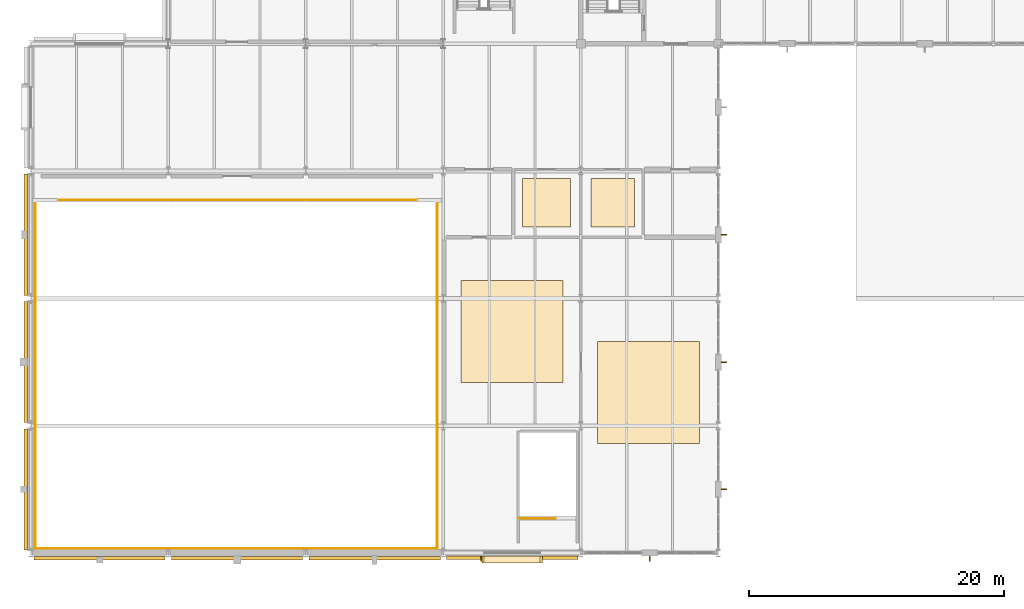
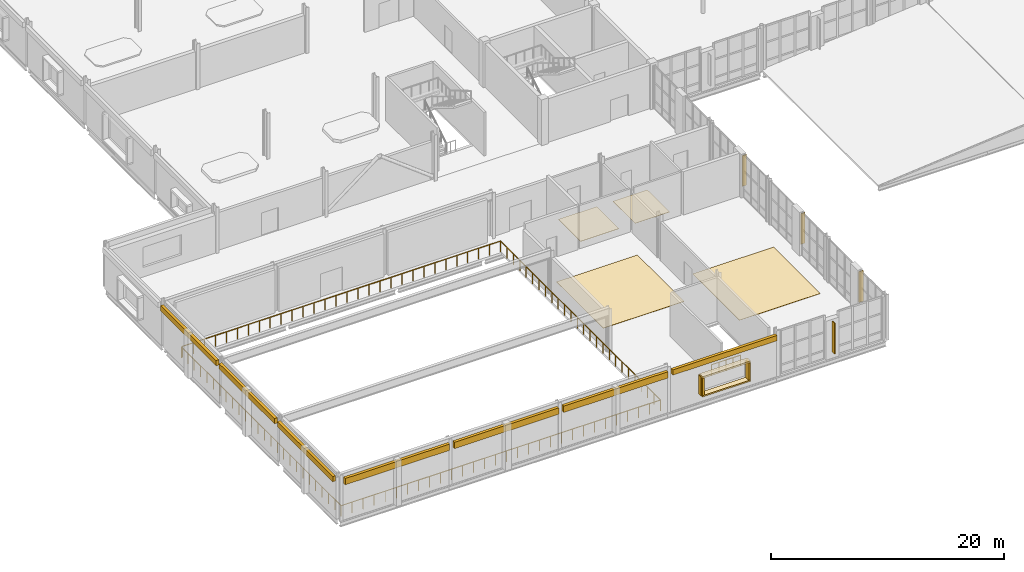
# One storey, part 82 of 92: 15 coverings, 5 railings, 5 shading devices.
"""IFC4 building model written with IfcOpenShell, lengths in metres."""

from ifc_helpers import new_model, si_unit, direction, frame, origin, origin_2d, place, context, subcontext, project, spatial, rectangle, circle, extrude, material, layer, layer_set, type_object, element, save


model = new_model("IFC4")

# Units and contexts
model_context = context("Model", 3, precision=1e-05, world=origin(), true_north=direction((0.0, 1.0)))
body_context = subcontext(model_context, "Body", "Model", "MODEL_VIEW")
ifc_project = project(units=[si_unit("LENGTHUNIT", "METRE"), si_unit("AREAUNIT", "SQUARE_METRE"), si_unit("VOLUMEUNIT", "CUBIC_METRE"), si_unit("PLANEANGLEUNIT", "RADIAN"), si_unit("MASSUNIT", "GRAM", prefix="KILO")], contexts=[model_context])

# Site, building, storey
site_placement = place(None, origin())
site = spatial("IfcSite", under=ifc_project, at=site_placement, CompositionType="ELEMENT")
building_placement = place(site_placement, origin())
building = spatial("IfcBuilding", under=site, at=building_placement, Name="Tasgan Crest Museum", CompositionType="ELEMENT")
storey_placement = place(building_placement, frame((0.0, 0.0, 4.800048828125)))
storey = spatial("IfcBuildingStorey", under=building, at=storey_placement, Name="L01", CompositionType="ELEMENT", Elevation=4.800048828125)

# Coverings
ifc_material_1 = material(Name="Polished Granite Terrazzo", Category="masonry")
ifc_layer_1 = layer(ifc_material_1, 0.030029296875, Name="COV-FLOOR-TERRAZZO")
ifc_layer_set_1 = layer_set([ifc_layer_1], Name="Polished Granite Terrazzo")
covering_type_1 = type_object("IfcCoveringType", Name="COV-FLOOR-TERRAZZO", PredefinedType="FLOORING", material=ifc_layer_set_1)
for number, where, z_axis, x_axis, name in (
    (1, (37.800048828125, 17.39990234375, 0.0), (0.0, 0.0, 1.0), (1.0, 0.0, 0.0), "Naturalist Workshop Studio floor finish"),
    (2, (48.5, 12.60009765625, 0.0), (0.0, 0.0, 1.0), (1.0, 0.0, 0.0), "School Discovery Classroom floor finish"),
):
    element("IfcCovering", number, at=place(storey_placement, frame(where, z_axis=z_axis, x_axis=x_axis)), inside=storey, type_object=covering_type_1, Name=name, PredefinedType="FLOORING", context=body_context, shape_type="SweptSolid", body=[
        extrude(rectangle(XDim=8.0, YDim=8.0, at=origin_2d()), origin(), (0.0, 0.0, 1.0), 0.030029296875),
    ])
covering_1_placement = place(storey_placement, frame((40.5, 27.5, 0.0), z_axis=(0.0, 0.0, 1.0), x_axis=(1.0, 0.0, 0.0)))
element("IfcCovering", 3, at=covering_1_placement, inside=storey, type_object=covering_type_1, Name="First Floor Public WC floor finish", PredefinedType="FLOORING", context=body_context, shape_type="SweptSolid", body=[
    extrude(rectangle(XDim=3.800048828125, YDim=3.800048828125, at=origin_2d()), origin(), (0.0, 0.0, 1.0), 0.030029296875),
])
covering_2_placement = place(storey_placement, frame((45.699951171875, 27.5, 0.0), z_axis=(0.0, 0.0, 1.0), x_axis=(1.0, 0.0, 0.0)))
element("IfcCovering", 4, at=covering_2_placement, inside=storey, type_object=covering_type_1, Name="First Floor Accessible WC floor finish", PredefinedType="FLOORING", context=body_context, shape_type="SweptSolid", body=[
    extrude(rectangle(XDim=3.39990234375, YDim=3.800048828125, at=origin_2d()), origin(), (0.0, 0.0, 1.0), 0.030029296875),
])
ifc_material_2 = material(Name="Honed Rose-Red Mongolian Granite", Category="masonry")
ifc_layer_2 = layer(ifc_material_2, 0.0400390625, Name="COV-GRANITE-ROSE")
ifc_layer_set_2 = layer_set([ifc_layer_2], Name="Honed Rose-Red Mongolian Granite")
covering_type_2 = type_object("IfcCoveringType", Name="COV-GRANITE-ROSE", PredefinedType="CLADDING", material=ifc_layer_set_2)
covering_3_placement = place(storey_placement, frame((37.800048828125, -0.3798828125, 3.9599609375), z_axis=(0.0, 0.0, 1.0), x_axis=(1.0, 0.0, 0.0)))
element("IfcCovering", 5, at=covering_3_placement, inside=storey, type_object=covering_type_2, Name="Stone frieze cladding L01", PredefinedType="CLADDING", context=body_context, shape_type="SweptSolid", body=[
    extrude(rectangle(XDim=10.31005859375, YDim=0.280029296875, at=origin_2d()), origin(), (0.0, 0.0, 1.0), 0.550048828125),
])
for number, where, z_axis, x_axis, name in (
    (6, (35.510009765625, -0.514892578125, 1.0), (0.0, 0.0, 1.0), (1.0, 0.0, 0.0), "Deep window reveal jamb L01-022"),
    (7, (40.090087890625, -0.514892578125, 1.0), (0.0, 0.0, 1.0), (1.0, 0.0, 0.0), "Deep window reveal jamb L01-022"),
):
    element("IfcCovering", number, at=place(storey_placement, frame(where, z_axis=z_axis, x_axis=x_axis)), inside=storey, type_object=covering_type_2, Name=name, PredefinedType="CLADDING", context=body_context, shape_type="SweptSolid", body=[
        extrude(rectangle(XDim=0.179931640625, YDim=0.550048828125, at=origin_2d()), origin(), (0.0, 0.0, 1.0), 1.800048828125),
    ])
ifc_material_3 = material(Name="Honed Buff Limestone", Category="masonry")
ifc_layer_3 = layer(ifc_material_3, 0.044921875, Name="COV-LIMESTONE-BUFF")
ifc_layer_set_3 = layer_set([ifc_layer_3], Name="Honed Buff Limestone")
covering_type_3 = type_object("IfcCoveringType", Name="COV-LIMESTONE-BUFF", PredefinedType="CLADDING", material=ifc_layer_set_3)
for number, where, z_axis, x_axis, name in (
    (8, (-0.39990234375, 25.0, 3.9599609375), (0.0, 0.0, 1.0), (0.0, -1.0, 0.0), "Stone frieze cladding L01"),
    (9, (-0.39990234375, 15.0, 3.9599609375), (0.0, 0.0, 1.0), (0.0, -1.0, 0.0), "Stone frieze cladding L01"),
    (10, (-0.39990234375, 5.0, 3.9599609375), (0.0, 0.0, 1.0), (0.0, -1.0, 0.0), "Stone frieze cladding L01"),
):
    element("IfcCovering", number, at=place(storey_placement, frame(where, z_axis=z_axis, x_axis=x_axis)), inside=storey, type_object=covering_type_3, Name=name, PredefinedType="CLADDING", context=body_context, shape_type="SweptSolid", body=[
        extrude(rectangle(XDim=9.510009765625, YDim=0.280029296875, at=origin_2d()), origin(), (0.0, 0.0, 1.0), 0.550048828125),
    ])
for number, where, z_axis, x_axis, name in (
    (11, (5.39990234375, -0.39990234375, 3.84912109375), (0.0, 0.0, 1.0), (1.0, 0.0, 0.0), "Stone frieze cladding L01"),
    (12, (16.199951171875, -0.39990234375, 3.84912109375), (0.0, 0.0, 1.0), (1.0, 0.0, 0.0), "Stone frieze cladding L01"),
    (13, (27.0, -0.39990234375, 3.84912109375), (0.0, 0.0, 1.0), (1.0, 0.0, 0.0), "Stone frieze cladding L01"),
):
    element("IfcCovering", number, at=place(storey_placement, frame(where, z_axis=z_axis, x_axis=x_axis)), inside=storey, type_object=covering_type_3, Name=name, PredefinedType="CLADDING", context=body_context, shape_type="SweptSolid", body=[
        extrude(rectangle(XDim=10.31005859375, YDim=0.280029296875, at=origin_2d()), origin(), (0.0, 0.0, 1.0), 0.660888671875),
    ])
covering_4_placement = place(storey_placement, frame((37.800048828125, -0.514892578125, 2.7998046875), z_axis=(0.0, 0.0, 1.0), x_axis=(1.0, 0.0, 0.0)))
element("IfcCovering", 14, at=covering_4_placement, inside=storey, type_object=covering_type_3, Name="Deep window hood L01-022", PredefinedType="CLADDING", context=body_context, shape_type="SweptSolid", body=[
    extrude(rectangle(XDim=4.760009765625, YDim=0.550048828125, at=origin_2d()), origin(), (0.0, 0.0, 1.0), 0.179931640625),
])
covering_5_placement = place(storey_placement, frame((37.800048828125, -0.514892578125, 0.85986328125), z_axis=(0.0, 0.0, 1.0), x_axis=(1.0, 0.0, 0.0)))
element("IfcCovering", 15, at=covering_5_placement, inside=storey, type_object=covering_type_3, Name="Deep window sill L01-022", PredefinedType="CLADDING", context=body_context, shape_type="SweptSolid", body=[
    extrude(rectangle(XDim=4.760009765625, YDim=0.550048828125, at=origin_2d()), origin(), (0.0, 0.0, 1.0), 0.139892578125),
])

# Railings
ifc_material_4 = material(Name="Bronze and Honed Granite Balustrade", Category="masonry")
railing_type_1 = type_object("IfcRailingType", Name="RL-BALUSTRADE-1150", PredefinedType="BALUSTRADE", material=ifc_material_4)
railing_1_placement = place(storey_placement, frame((0.449951171875, 27.719970703125, 0.0)))
element("IfcRailing", 16, at=railing_1_placement, inside=storey, type_object=railing_type_1, Name="Auditorium upper balcony balustrade", PredefinedType="BALUSTRADE", context=body_context, shape_type="SweptSolid", body=[
    extrude(circle(Radius=0.02392578125, at=origin_2d()), frame((0.0, 0.0, 1.1259765625), z_axis=(1.0, 0.0, 0.0), x_axis=(0.0, 1.0, 0.0)), (0.0, 0.0, 1.0), 31.469970703125),
    extrude(circle(Radius=0.02099609375, at=origin_2d()), origin(), (0.0, 0.0, 1.0), 1.101806640625),
    extrude(circle(Radius=0.02099609375, at=origin_2d()), frame((1.085205078125, 0.0, 0.0)), (0.0, 0.0, 1.0), 1.101806640625),
    extrude(circle(Radius=0.02099609375, at=origin_2d()), frame((2.17041015625, 0.0, 0.0)), (0.0, 0.0, 1.0), 1.101806640625),
    extrude(circle(Radius=0.02099609375, at=origin_2d()), frame((3.255615234375, 0.0, 0.0)), (0.0, 0.0, 1.0), 1.101806640625),
    extrude(circle(Radius=0.02099609375, at=origin_2d()), frame((4.340576171875, 0.0, 0.0)), (0.0, 0.0, 1.0), 1.101806640625),
    extrude(circle(Radius=0.02099609375, at=origin_2d()), frame((5.42578125, 0.0, 0.0)), (0.0, 0.0, 1.0), 1.101806640625),
    extrude(circle(Radius=0.02099609375, at=origin_2d()), frame((6.510986328125, 0.0, 0.0)), (0.0, 0.0, 1.0), 1.101806640625),
    extrude(circle(Radius=0.02099609375, at=origin_2d()), frame((7.59619140625, 0.0, 0.0)), (0.0, 0.0, 1.0), 1.101806640625),
    extrude(circle(Radius=0.02099609375, at=origin_2d()), frame((8.681396484375, 0.0, 0.0)), (0.0, 0.0, 1.0), 1.101806640625),
    extrude(circle(Radius=0.02099609375, at=origin_2d()), frame((9.7666015625, 0.0, 0.0)), (0.0, 0.0, 1.0), 1.101806640625),
    extrude(circle(Radius=0.02099609375, at=origin_2d()), frame((10.851806640625, 0.0, 0.0)), (0.0, 0.0, 1.0), 1.101806640625),
    extrude(circle(Radius=0.02099609375, at=origin_2d()), frame((11.936767578125, 0.0, 0.0)), (0.0, 0.0, 1.0), 1.101806640625),
    extrude(circle(Radius=0.02099609375, at=origin_2d()), frame((13.02197265625, 0.0, 0.0)), (0.0, 0.0, 1.0), 1.101806640625),
    extrude(circle(Radius=0.02099609375, at=origin_2d()), frame((14.107177734375, 0.0, 0.0)), (0.0, 0.0, 1.0), 1.101806640625),
    extrude(circle(Radius=0.02099609375, at=origin_2d()), frame((15.1923828125, 0.0, 0.0)), (0.0, 0.0, 1.0), 1.101806640625),
    extrude(circle(Radius=0.02099609375, at=origin_2d()), frame((16.277587890625, 0.0, 0.0)), (0.0, 0.0, 1.0), 1.101806640625),
    extrude(circle(Radius=0.02099609375, at=origin_2d()), frame((17.36279296875, 0.0, 0.0)), (0.0, 0.0, 1.0), 1.101806640625),
    extrude(circle(Radius=0.02099609375, at=origin_2d()), frame((18.447998046875, 0.0, 0.0)), (0.0, 0.0, 1.0), 1.101806640625),
    extrude(circle(Radius=0.02099609375, at=origin_2d()), frame((19.533203125, 0.0, 0.0)), (0.0, 0.0, 1.0), 1.101806640625),
    extrude(circle(Radius=0.02099609375, at=origin_2d()), frame((20.6181640625, 0.0, 0.0)), (0.0, 0.0, 1.0), 1.101806640625),
    extrude(circle(Radius=0.02099609375, at=origin_2d()), frame((21.703369140625, 0.0, 0.0)), (0.0, 0.0, 1.0), 1.101806640625),
    extrude(circle(Radius=0.02099609375, at=origin_2d()), frame((22.78857421875, 0.0, 0.0)), (0.0, 0.0, 1.0), 1.101806640625),
    extrude(circle(Radius=0.02099609375, at=origin_2d()), frame((23.873779296875, 0.0, 0.0)), (0.0, 0.0, 1.0), 1.101806640625),
    extrude(circle(Radius=0.02099609375, at=origin_2d()), frame((24.958984375, 0.0, 0.0)), (0.0, 0.0, 1.0), 1.101806640625),
    extrude(circle(Radius=0.02099609375, at=origin_2d()), frame((26.044189453125, 0.0, 0.0)), (0.0, 0.0, 1.0), 1.101806640625),
    extrude(circle(Radius=0.02099609375, at=origin_2d()), frame((27.12939453125, 0.0, 0.0)), (0.0, 0.0, 1.0), 1.101806640625),
    extrude(circle(Radius=0.02099609375, at=origin_2d()), frame((28.21435546875, 0.0, 0.0)), (0.0, 0.0, 1.0), 1.101806640625),
    extrude(circle(Radius=0.02099609375, at=origin_2d()), frame((29.299560546875, 0.0, 0.0)), (0.0, 0.0, 1.0), 1.101806640625),
    extrude(circle(Radius=0.02099609375, at=origin_2d()), frame((30.384765625, 0.0, 0.0)), (0.0, 0.0, 1.0), 1.101806640625),
    extrude(circle(Radius=0.02099609375, at=origin_2d()), frame((31.469970703125, 0.0, 0.0)), (0.0, 0.0, 1.0), 1.101806640625),
])
ifc_material_5 = material(Name="Brushed Bronze and Toughened Glass", Category="glass")
railing_type_2 = type_object("IfcRailingType", Name="RL-INT-GUARD-1120", PredefinedType="GUARDRAIL", material=ifc_material_5)
railing_2_placement = place(storey_placement, frame((38.360107421875, 2.719970703125, 0.0)))
element("IfcRailing", 17, at=railing_2_placement, inside=storey, type_object=railing_type_2, Name="FOYS top arrival guard L01", PredefinedType="GUARDRAIL", context=body_context, shape_type="SweptSolid", body=[
    extrude(circle(Radius=0.02392578125, at=origin_2d()), frame((0.0, 0.0, 1.09619140625), z_axis=(1.0, 0.0, 0.0), x_axis=(0.0, 1.0, 0.0)), (0.0, 0.0, 1.0), 2.83984375),
    extrude(circle(Radius=0.02099609375, at=origin_2d()), origin(), (0.0, 0.0, 1.0), 1.072021484375),
    extrude(circle(Radius=0.02099609375, at=origin_2d()), frame((0.7099609375, 0.0, 0.0)), (0.0, 0.0, 1.0), 1.072021484375),
    extrude(circle(Radius=0.02099609375, at=origin_2d()), frame((1.419921875, 0.0, 0.0)), (0.0, 0.0, 1.0), 1.072021484375),
    extrude(circle(Radius=0.02099609375, at=origin_2d()), frame((2.1298828125, 0.0, 0.0)), (0.0, 0.0, 1.0), 1.072021484375),
    extrude(circle(Radius=0.02099609375, at=origin_2d()), frame((2.83984375, 0.0, 0.0)), (0.0, 0.0, 1.0), 1.072021484375),
])
railing_3_placement = place(storey_placement, frame((0.35009765625, 0.35009765625, 0.0)))
element("IfcRailing", 18, at=railing_3_placement, inside=storey, type_object=railing_type_2, Name="Auditorium void south guard", PredefinedType="GUARDRAIL", context=body_context, shape_type="SweptSolid", body=[
    extrude(circle(Radius=0.02392578125, at=origin_2d()), frame((0.0, 0.0, 1.09619140625), z_axis=(1.0, 0.0, 0.0), x_axis=(0.0, 1.0, 0.0)), (0.0, 0.0, 1.0), 31.56982421875),
    extrude(circle(Radius=0.02099609375, at=origin_2d()), origin(), (0.0, 0.0, 1.0), 1.072021484375),
    extrude(circle(Radius=0.02099609375, at=origin_2d()), frame((1.088623046875, 0.0, 0.0)), (0.0, 0.0, 1.0), 1.072021484375),
    extrude(circle(Radius=0.02099609375, at=origin_2d()), frame((2.17724609375, 0.0, 0.0)), (0.0, 0.0, 1.0), 1.072021484375),
    extrude(circle(Radius=0.02099609375, at=origin_2d()), frame((3.265869140625, 0.0, 0.0)), (0.0, 0.0, 1.0), 1.072021484375),
    extrude(circle(Radius=0.02099609375, at=origin_2d()), frame((4.3544921875, 0.0, 0.0)), (0.0, 0.0, 1.0), 1.072021484375),
    extrude(circle(Radius=0.02099609375, at=origin_2d()), frame((5.443115234375, 0.0, 0.0)), (0.0, 0.0, 1.0), 1.072021484375),
    extrude(circle(Radius=0.02099609375, at=origin_2d()), frame((6.53173828125, 0.0, 0.0)), (0.0, 0.0, 1.0), 1.072021484375),
    extrude(circle(Radius=0.02099609375, at=origin_2d()), frame((7.620361328125, 0.0, 0.0)), (0.0, 0.0, 1.0), 1.072021484375),
    extrude(circle(Radius=0.02099609375, at=origin_2d()), frame((8.708984375, 0.0, 0.0)), (0.0, 0.0, 1.0), 1.072021484375),
    extrude(circle(Radius=0.02099609375, at=origin_2d()), frame((9.797607421875, 0.0, 0.0)), (0.0, 0.0, 1.0), 1.072021484375),
    extrude(circle(Radius=0.02099609375, at=origin_2d()), frame((10.88623046875, 0.0, 0.0)), (0.0, 0.0, 1.0), 1.072021484375),
    extrude(circle(Radius=0.02099609375, at=origin_2d()), frame((11.974853515625, 0.0, 0.0)), (0.0, 0.0, 1.0), 1.072021484375),
    extrude(circle(Radius=0.02099609375, at=origin_2d()), frame((13.0634765625, 0.0, 0.0)), (0.0, 0.0, 1.0), 1.072021484375),
    extrude(circle(Radius=0.02099609375, at=origin_2d()), frame((14.152099609375, 0.0, 0.0)), (0.0, 0.0, 1.0), 1.072021484375),
    extrude(circle(Radius=0.02099609375, at=origin_2d()), frame((15.24072265625, 0.0, 0.0)), (0.0, 0.0, 1.0), 1.072021484375),
    extrude(circle(Radius=0.02099609375, at=origin_2d()), frame((16.3291015625, 0.0, 0.0)), (0.0, 0.0, 1.0), 1.072021484375),
    extrude(circle(Radius=0.02099609375, at=origin_2d()), frame((17.417724609375, 0.0, 0.0)), (0.0, 0.0, 1.0), 1.072021484375),
    extrude(circle(Radius=0.02099609375, at=origin_2d()), frame((18.50634765625, 0.0, 0.0)), (0.0, 0.0, 1.0), 1.072021484375),
    extrude(circle(Radius=0.02099609375, at=origin_2d()), frame((19.594970703125, 0.0, 0.0)), (0.0, 0.0, 1.0), 1.072021484375),
    extrude(circle(Radius=0.02099609375, at=origin_2d()), frame((20.68359375, 0.0, 0.0)), (0.0, 0.0, 1.0), 1.072021484375),
    extrude(circle(Radius=0.02099609375, at=origin_2d()), frame((21.772216796875, 0.0, 0.0)), (0.0, 0.0, 1.0), 1.072021484375),
    extrude(circle(Radius=0.02099609375, at=origin_2d()), frame((22.86083984375, 0.0, 0.0)), (0.0, 0.0, 1.0), 1.072021484375),
    extrude(circle(Radius=0.02099609375, at=origin_2d()), frame((23.949462890625, 0.0, 0.0)), (0.0, 0.0, 1.0), 1.072021484375),
    extrude(circle(Radius=0.02099609375, at=origin_2d()), frame((25.0380859375, 0.0, 0.0)), (0.0, 0.0, 1.0), 1.072021484375),
    extrude(circle(Radius=0.02099609375, at=origin_2d()), frame((26.126708984375, 0.0, 0.0)), (0.0, 0.0, 1.0), 1.072021484375),
    extrude(circle(Radius=0.02099609375, at=origin_2d()), frame((27.21533203125, 0.0, 0.0)), (0.0, 0.0, 1.0), 1.072021484375),
    extrude(circle(Radius=0.02099609375, at=origin_2d()), frame((28.303955078125, 0.0, 0.0)), (0.0, 0.0, 1.0), 1.072021484375),
    extrude(circle(Radius=0.02099609375, at=origin_2d()), frame((29.392578125, 0.0, 0.0)), (0.0, 0.0, 1.0), 1.072021484375),
    extrude(circle(Radius=0.02099609375, at=origin_2d()), frame((30.481201171875, 0.0, 0.0)), (0.0, 0.0, 1.0), 1.072021484375),
    extrude(circle(Radius=0.02099609375, at=origin_2d()), frame((31.56982421875, 0.0, 0.0)), (0.0, 0.0, 1.0), 1.072021484375),
])
railing_4_placement = place(storey_placement, frame((0.35009765625, 0.35009765625, 0.0)))
element("IfcRailing", 19, at=railing_4_placement, inside=storey, type_object=railing_type_2, Name="Auditorium void west guard", PredefinedType="GUARDRAIL", context=body_context, shape_type="SweptSolid", body=[
    extrude(circle(Radius=0.02392578125, at=origin_2d()), frame((0.0, 0.0, 1.09619140625), z_axis=(0.0, 1.0, 0.0), x_axis=(-1.0, 0.0, 0.0)), (0.0, 0.0, 1.0), 27.369873046875),
    extrude(circle(Radius=0.02099609375, at=origin_2d()), origin(), (0.0, 0.0, 1.0), 1.072021484375),
    extrude(circle(Radius=0.02099609375, at=origin_2d()), frame((0.0, 1.0947265625, 0.0)), (0.0, 0.0, 1.0), 1.072021484375),
    extrude(circle(Radius=0.02099609375, at=origin_2d()), frame((0.0, 2.189697265625, 0.0)), (0.0, 0.0, 1.0), 1.072021484375),
    extrude(circle(Radius=0.02099609375, at=origin_2d()), frame((0.0, 3.284423828125, 0.0)), (0.0, 0.0, 1.0), 1.072021484375),
    extrude(circle(Radius=0.02099609375, at=origin_2d()), frame((0.0, 4.379150390625, 0.0)), (0.0, 0.0, 1.0), 1.072021484375),
    extrude(circle(Radius=0.02099609375, at=origin_2d()), frame((0.0, 5.473876953125, 0.0)), (0.0, 0.0, 1.0), 1.072021484375),
    extrude(circle(Radius=0.02099609375, at=origin_2d()), frame((0.0, 6.56884765625, 0.0)), (0.0, 0.0, 1.0), 1.072021484375),
    extrude(circle(Radius=0.02099609375, at=origin_2d()), frame((0.0, 7.66357421875, 0.0)), (0.0, 0.0, 1.0), 1.072021484375),
    extrude(circle(Radius=0.02099609375, at=origin_2d()), frame((0.0, 8.75830078125, 0.0)), (0.0, 0.0, 1.0), 1.072021484375),
    extrude(circle(Radius=0.02099609375, at=origin_2d()), frame((0.0, 9.853271484375, 0.0)), (0.0, 0.0, 1.0), 1.072021484375),
    extrude(circle(Radius=0.02099609375, at=origin_2d()), frame((0.0, 10.947998046875, 0.0)), (0.0, 0.0, 1.0), 1.072021484375),
    extrude(circle(Radius=0.02099609375, at=origin_2d()), frame((0.0, 12.042724609375, 0.0)), (0.0, 0.0, 1.0), 1.072021484375),
    extrude(circle(Radius=0.02099609375, at=origin_2d()), frame((0.0, 13.137451171875, 0.0)), (0.0, 0.0, 1.0), 1.072021484375),
    extrude(circle(Radius=0.02099609375, at=origin_2d()), frame((0.0, 14.232421875, 0.0)), (0.0, 0.0, 1.0), 1.072021484375),
    extrude(circle(Radius=0.02099609375, at=origin_2d()), frame((0.0, 15.3271484375, 0.0)), (0.0, 0.0, 1.0), 1.072021484375),
    extrude(circle(Radius=0.02099609375, at=origin_2d()), frame((0.0, 16.421875, 0.0)), (0.0, 0.0, 1.0), 1.072021484375),
    extrude(circle(Radius=0.02099609375, at=origin_2d()), frame((0.0, 17.5166015625, 0.0)), (0.0, 0.0, 1.0), 1.072021484375),
    extrude(circle(Radius=0.02099609375, at=origin_2d()), frame((0.0, 18.611572265625, 0.0)), (0.0, 0.0, 1.0), 1.072021484375),
    extrude(circle(Radius=0.02099609375, at=origin_2d()), frame((0.0, 19.706298828125, 0.0)), (0.0, 0.0, 1.0), 1.072021484375),
    extrude(circle(Radius=0.02099609375, at=origin_2d()), frame((0.0, 20.801025390625, 0.0)), (0.0, 0.0, 1.0), 1.072021484375),
    extrude(circle(Radius=0.02099609375, at=origin_2d()), frame((0.0, 21.89599609375, 0.0)), (0.0, 0.0, 1.0), 1.072021484375),
    extrude(circle(Radius=0.02099609375, at=origin_2d()), frame((0.0, 22.99072265625, 0.0)), (0.0, 0.0, 1.0), 1.072021484375),
    extrude(circle(Radius=0.02099609375, at=origin_2d()), frame((0.0, 24.08544921875, 0.0)), (0.0, 0.0, 1.0), 1.072021484375),
    extrude(circle(Radius=0.02099609375, at=origin_2d()), frame((0.0, 25.18017578125, 0.0)), (0.0, 0.0, 1.0), 1.072021484375),
    extrude(circle(Radius=0.02099609375, at=origin_2d()), frame((0.0, 26.275146484375, 0.0)), (0.0, 0.0, 1.0), 1.072021484375),
    extrude(circle(Radius=0.02099609375, at=origin_2d()), frame((0.0, 27.369873046875, 0.0)), (0.0, 0.0, 1.0), 1.072021484375),
])
railing_5_placement = place(storey_placement, frame((31.919921875, 0.35009765625, 0.0)))
element("IfcRailing", 20, at=railing_5_placement, inside=storey, type_object=railing_type_2, Name="Auditorium void east guard", PredefinedType="GUARDRAIL", context=body_context, shape_type="SweptSolid", body=[
    extrude(circle(Radius=0.02392578125, at=origin_2d()), frame((0.0, 0.0, 1.09619140625), z_axis=(0.0, 1.0, 0.0), x_axis=(-1.0, 0.0, 0.0)), (0.0, 0.0, 1.0), 27.369873046875),
    extrude(circle(Radius=0.02099609375, at=origin_2d()), origin(), (0.0, 0.0, 1.0), 1.072021484375),
    extrude(circle(Radius=0.02099609375, at=origin_2d()), frame((0.0, 1.0947265625, 0.0)), (0.0, 0.0, 1.0), 1.072021484375),
    extrude(circle(Radius=0.02099609375, at=origin_2d()), frame((0.0, 2.189697265625, 0.0)), (0.0, 0.0, 1.0), 1.072021484375),
    extrude(circle(Radius=0.02099609375, at=origin_2d()), frame((0.0, 3.284423828125, 0.0)), (0.0, 0.0, 1.0), 1.072021484375),
    extrude(circle(Radius=0.02099609375, at=origin_2d()), frame((0.0, 4.379150390625, 0.0)), (0.0, 0.0, 1.0), 1.072021484375),
    extrude(circle(Radius=0.02099609375, at=origin_2d()), frame((0.0, 5.473876953125, 0.0)), (0.0, 0.0, 1.0), 1.072021484375),
    extrude(circle(Radius=0.02099609375, at=origin_2d()), frame((0.0, 6.56884765625, 0.0)), (0.0, 0.0, 1.0), 1.072021484375),
    extrude(circle(Radius=0.02099609375, at=origin_2d()), frame((0.0, 7.66357421875, 0.0)), (0.0, 0.0, 1.0), 1.072021484375),
    extrude(circle(Radius=0.02099609375, at=origin_2d()), frame((0.0, 8.75830078125, 0.0)), (0.0, 0.0, 1.0), 1.072021484375),
    extrude(circle(Radius=0.02099609375, at=origin_2d()), frame((0.0, 9.853271484375, 0.0)), (0.0, 0.0, 1.0), 1.072021484375),
    extrude(circle(Radius=0.02099609375, at=origin_2d()), frame((0.0, 10.947998046875, 0.0)), (0.0, 0.0, 1.0), 1.072021484375),
    extrude(circle(Radius=0.02099609375, at=origin_2d()), frame((0.0, 12.042724609375, 0.0)), (0.0, 0.0, 1.0), 1.072021484375),
    extrude(circle(Radius=0.02099609375, at=origin_2d()), frame((0.0, 13.137451171875, 0.0)), (0.0, 0.0, 1.0), 1.072021484375),
    extrude(circle(Radius=0.02099609375, at=origin_2d()), frame((0.0, 14.232421875, 0.0)), (0.0, 0.0, 1.0), 1.072021484375),
    extrude(circle(Radius=0.02099609375, at=origin_2d()), frame((0.0, 15.3271484375, 0.0)), (0.0, 0.0, 1.0), 1.072021484375),
    extrude(circle(Radius=0.02099609375, at=origin_2d()), frame((0.0, 16.421875, 0.0)), (0.0, 0.0, 1.0), 1.072021484375),
    extrude(circle(Radius=0.02099609375, at=origin_2d()), frame((0.0, 17.5166015625, 0.0)), (0.0, 0.0, 1.0), 1.072021484375),
    extrude(circle(Radius=0.02099609375, at=origin_2d()), frame((0.0, 18.611572265625, 0.0)), (0.0, 0.0, 1.0), 1.072021484375),
    extrude(circle(Radius=0.02099609375, at=origin_2d()), frame((0.0, 19.706298828125, 0.0)), (0.0, 0.0, 1.0), 1.072021484375),
    extrude(circle(Radius=0.02099609375, at=origin_2d()), frame((0.0, 20.801025390625, 0.0)), (0.0, 0.0, 1.0), 1.072021484375),
    extrude(circle(Radius=0.02099609375, at=origin_2d()), frame((0.0, 21.89599609375, 0.0)), (0.0, 0.0, 1.0), 1.072021484375),
    extrude(circle(Radius=0.02099609375, at=origin_2d()), frame((0.0, 22.99072265625, 0.0)), (0.0, 0.0, 1.0), 1.072021484375),
    extrude(circle(Radius=0.02099609375, at=origin_2d()), frame((0.0, 24.08544921875, 0.0)), (0.0, 0.0, 1.0), 1.072021484375),
    extrude(circle(Radius=0.02099609375, at=origin_2d()), frame((0.0, 25.18017578125, 0.0)), (0.0, 0.0, 1.0), 1.072021484375),
    extrude(circle(Radius=0.02099609375, at=origin_2d()), frame((0.0, 26.275146484375, 0.0)), (0.0, 0.0, 1.0), 1.072021484375),
    extrude(circle(Radius=0.02099609375, at=origin_2d()), frame((0.0, 27.369873046875, 0.0)), (0.0, 0.0, 1.0), 1.072021484375),
])

# Shading devices
ifc_material_6 = material(Name="Anodised Bronze Aluminium", Category="aluminium")
shading_device_type = type_object("IfcShadingDeviceType", Name="SH-FIN-V400", PredefinedType="JALOUSIE", material=ifc_material_6)
shading_device_placement = place(storey_placement, frame((35.3798828125, -0.449951171875, 0.89990234375), z_axis=(0.0, 0.0, 1.0), x_axis=(1.0, 0.0, 0.0)))
element("IfcShadingDevice", 21, at=shading_device_placement, inside=storey, type_object=shading_device_type, Name="Solar shading fin L01-022", PredefinedType="JALOUSIE", context=body_context, shape_type="SweptSolid", body=[
    extrude(rectangle(XDim=0.080078125, YDim=0.419921875, at=origin_2d()), origin(), (0.0, 0.0, 1.0), 2.0),
])
for number, where, z_axis, x_axis, name in (
    (22, (48.60009765625, -0.449951171875, 0.68017578125), (0.0, 0.0, 1.0), (1.0, 0.0, 0.0), "Facade pier solar fin L01"),
    (23, (54.449951171875, 5.0, 0.68017578125), (0.0, 0.0, 1.0), (0.0, 1.0, 0.0), "Facade pier solar fin L01"),
    (24, (54.449951171875, 15.0, 0.68017578125), (0.0, 0.0, 1.0), (0.0, 1.0, 0.0), "Facade pier solar fin L01"),
    (25, (54.449951171875, 25.0, 0.68017578125), (0.0, 0.0, 1.0), (0.0, 1.0, 0.0), "Facade pier solar fin L01"),
):
    element("IfcShadingDevice", number, at=place(storey_placement, frame(where, z_axis=z_axis, x_axis=x_axis)), inside=storey, type_object=shading_device_type, Name=name, PredefinedType="JALOUSIE", context=body_context, shape_type="SweptSolid", body=[
        extrude(rectangle(XDim=0.080078125, YDim=0.419921875, at=origin_2d()), origin(), (0.0, 0.0, 1.0), 3.199951171875),
    ])

save(model, "model.ifc")
